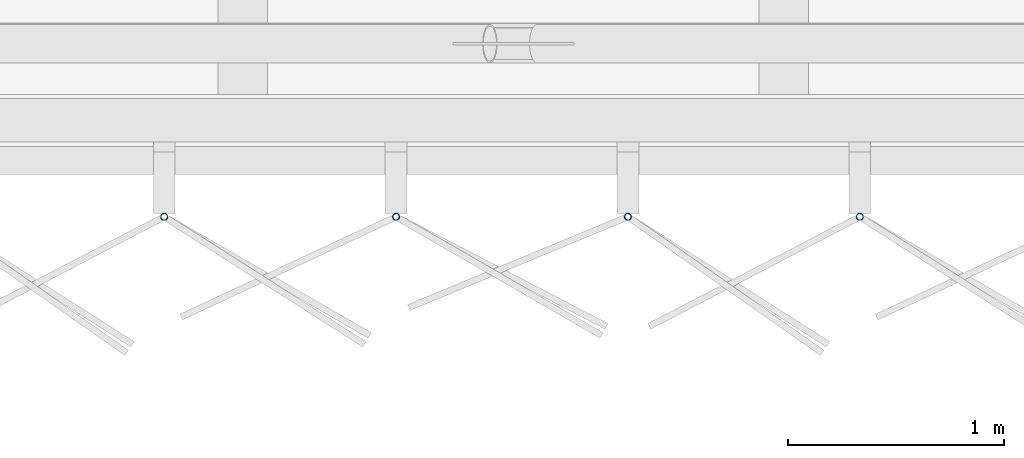
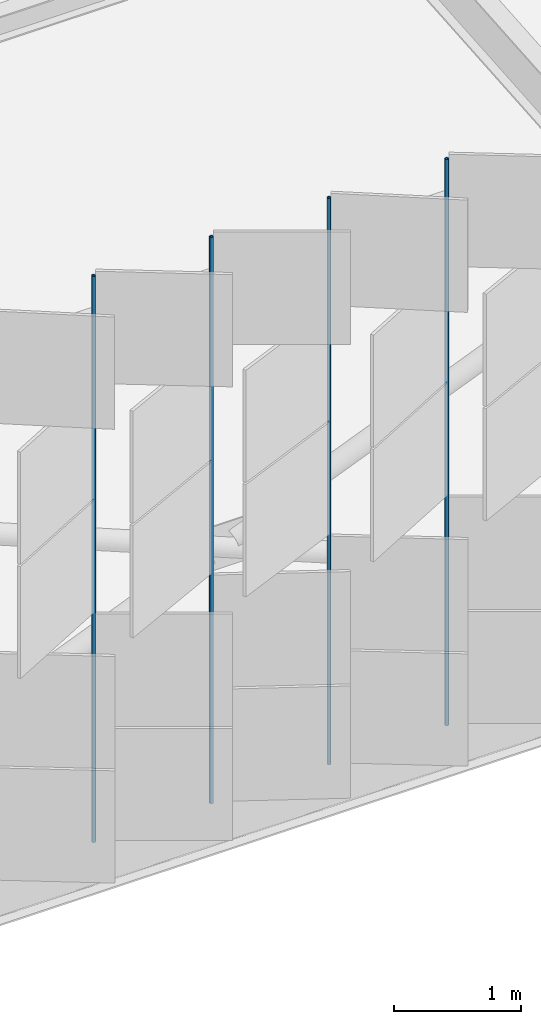
# One storey, part 221 of 483: 4 discrete accessories.
"""IFC4 building model written with IfcOpenShell, lengths in metres."""

from ifc_helpers import new_model, si_unit, direction, frame, origin, origin_2d, place, context, subcontext, project, spatial, hollow_circle, extrude, material, material_profile, profile_set, type_object, element, save


model = new_model("IFC4")

# Units and contexts
model_context = context("Model", 3, precision=1e-05, world=origin(), true_north=direction((0.0, 1.0)))
body_context = subcontext(model_context, "Body", "Model", "MODEL_VIEW")
ifc_project = project(units=[si_unit("LENGTHUNIT", "METRE"), si_unit("AREAUNIT", "SQUARE_METRE"), si_unit("VOLUMEUNIT", "CUBIC_METRE"), si_unit("PLANEANGLEUNIT", "RADIAN"), si_unit("MASSUNIT", "GRAM", prefix="KILO")], contexts=[model_context])

# Site, building, storey
site_placement = place(None, origin())
site = spatial("IfcSite", under=ifc_project, at=site_placement, CompositionType="ELEMENT")
building_placement = place(site_placement, origin())
building = spatial("IfcBuilding", under=site, at=building_placement, Name="Parallax Yard Mobility Hub", CompositionType="ELEMENT")
storey_placement = place(building_placement, frame((0.0, 0.0, 13.199951171875)))
storey = spatial("IfcBuildingStorey", under=building, at=storey_placement, Name="L04", CompositionType="ELEMENT", Elevation=13.199951171875)

# Discrete accessories
ifc_material = material(Name="Steel ASTM A500 Gr C, hot-dip galvanised", Category="steel")
ifc_material_profile = material_profile(ifc_material, hollow_circle(Radius=0.016845703125, WallThickness=0.003173828125, at=origin_2d()), Name="CHS 33.7x3.2")
ifc_profile_set = profile_set([ifc_material_profile], Name="Steel ASTM A500 Gr C, hot-dip galvanised")
discrete_accessory_type = type_object("IfcDiscreteAccessoryType", Name="Hinge post CHS 33.7x3.2", PredefinedType="BRACKET", material=ifc_profile_set)
for number, where, z_axis, x_axis, name in (
    (1, (152.136474609375, 112.199951171875, 0.0), (0.0, 0.0, 1.0), (1.0, 0.0, 0.0), "Hinge post bay 15.3 level L04"),
    (2, (153.2080078125, 112.199951171875, 0.0), (0.0, 0.0, 1.0), (1.0, 0.0, 0.0), "Hinge post bay 15.4 level L04"),
    (3, (154.279541015625, 112.199951171875, 0.0), (0.0, 0.0, 1.0), (1.0, 0.0, 0.0), "Hinge post bay 15.5 level L04"),
    (4, (155.35107421875, 112.199951171875, 0.0), (0.0, 0.0, 1.0), (1.0, 0.0, 0.0), "Hinge post bay 15.6 level L04"),
):
    element("IfcDiscreteAccessory", number, at=place(storey_placement, frame(where, z_axis=z_axis, x_axis=x_axis)), inside=storey, type_object=discrete_accessory_type, Name=name, PredefinedType="BRACKET", context=body_context, shape_type="SweptSolid", body=[
        extrude(hollow_circle(Radius=0.016845703125, WallThickness=0.003173828125, at=origin_2d()), origin(), (0.0, 0.0, 1.0), 5.449951171875),
    ])

save(model, "model.ifc")
